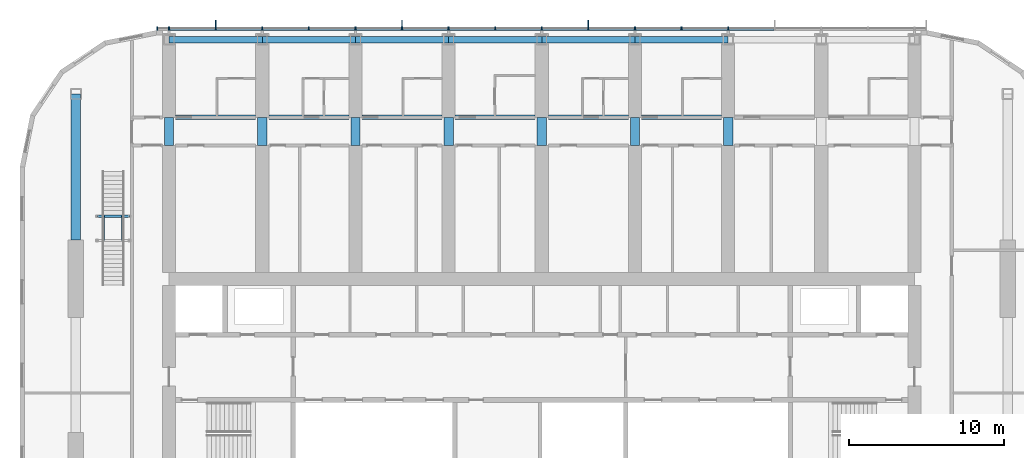
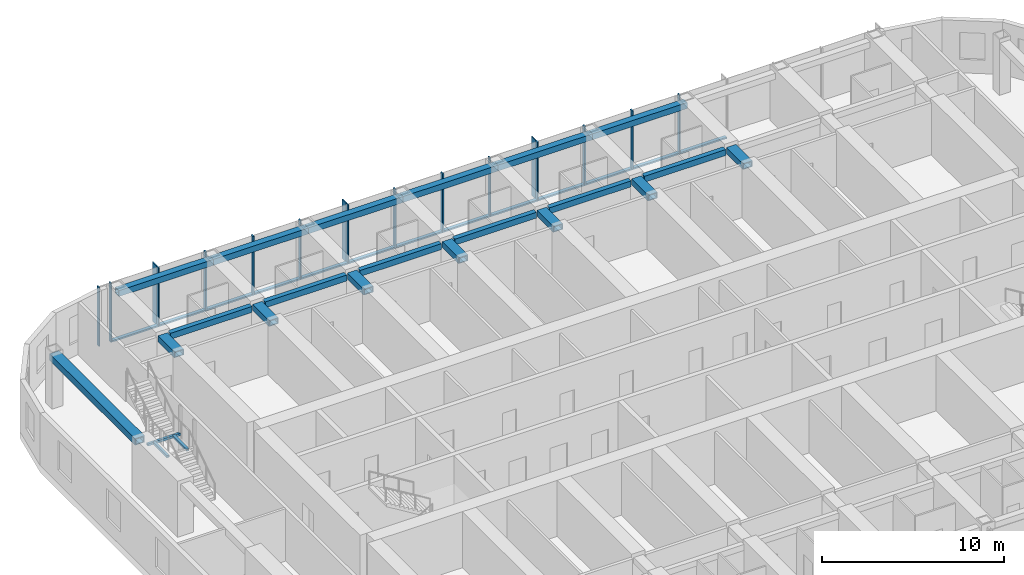
# One storey, part 8 of 29: 30 members, 23 beams, 1 element without a shape of its own.
"""IFC4 building model written with IfcOpenShell, lengths in metres."""

from ifc_helpers import new_model, si_unit, direction, frame, origin, origin_2d, place, context, subcontext, project, spatial, rectangle, hollow_rectangle, extrude, material, material_profile, profile_set, type_object, element, aggregate, save


model = new_model("IFC4")

# Units and contexts
model_context = context("Model", 3, precision=1e-05, world=origin(), true_north=direction((0.0, 1.0)))
body_context = subcontext(model_context, "Body", "Model", "MODEL_VIEW")
ifc_project = project(units=[si_unit("LENGTHUNIT", "METRE"), si_unit("AREAUNIT", "SQUARE_METRE"), si_unit("VOLUMEUNIT", "CUBIC_METRE"), si_unit("PLANEANGLEUNIT", "RADIAN"), si_unit("MASSUNIT", "GRAM", prefix="KILO")], contexts=[model_context])

# Site, building, storey
site_placement = place(None, origin())
site = spatial("IfcSite", under=ifc_project, at=site_placement, CompositionType="ELEMENT")
building_placement = place(site_placement, origin())
building = spatial("IfcBuilding", under=site, at=building_placement, Name="Orbita Commons", CompositionType="ELEMENT")
storey_placement = place(building_placement, frame((0.0, 0.0, 148.60009765625)))
storey = spatial("IfcBuildingStorey", under=building, at=storey_placement, Name="L36", CompositionType="ELEMENT", Elevation=148.60009765625)

# Curtain wall, members
ifc_material_1 = material(Name="Anodised aluminium frame, pale silver", Category="aluminium")
curtain_wall_type = type_object("IfcCurtainWallType", Name="Unitised curtain wall CW-U, full-height vision", PredefinedType="NOTDEFINED", material=ifc_material_1)
curtain_wall_placement = place(storey_placement, origin())
curtain_wall = element("IfcCurtainWall", 1, at=curtain_wall_placement, inside=storey, type_object=curtain_wall_type, Name="Curtain wall north L36", PredefinedType="NOTDEFINED")
ifc_material_2 = material(Name="Anodised aluminium, pale silver", Category="aluminium")
ifc_material_profile_1 = material_profile(ifc_material_2, rectangle(XDim=0.080078125, YDim=0.219970703125, at=origin_2d()), Name="AL 80x220")
ifc_profile_set_1 = profile_set([ifc_material_profile_1], Name="Anodised aluminium, pale silver")
member_type_1 = type_object("IfcMemberType", Name="Curtain wall mullion 80x220", PredefinedType="MULLION", material=ifc_profile_set_1)
member_1_placement = place(storey_placement, frame((54.0, 54.31005859375, -0.4501953125), z_axis=(0.0, 0.0, 1.0), x_axis=(-1.0, 0.0, 0.0)))
member_1 = element("IfcMember", 2, at=member_1_placement, type_object=member_type_1, Name="Mullion 6 CW-L36-N", PredefinedType="MULLION", context=body_context, shape_type="SweptSolid", body=[
    extrude(rectangle(XDim=0.080078125, YDim=0.219970703125, at=origin_2d()), origin(), (0.0, 0.0, 1.0), 3.9501953125),
])
member_2_placement = place(storey_placement, frame((51.0, 54.31005859375, -0.4501953125), z_axis=(0.0, 0.0, 1.0), x_axis=(-1.0, 0.0, 0.0)))
member_2 = element("IfcMember", 3, at=member_2_placement, type_object=member_type_1, Name="Mullion 7 CW-L36-N", PredefinedType="MULLION", context=body_context, shape_type="SweptSolid", body=[
    extrude(rectangle(XDim=0.080078125, YDim=0.219970703125, at=origin_2d()), origin(), (0.0, 0.0, 1.0), 3.9501953125),
])
member_3_placement = place(storey_placement, frame((48.0, 54.31005859375, -0.4501953125), z_axis=(0.0, 0.0, 1.0), x_axis=(-1.0, 0.0, 0.0)))
member_3 = element("IfcMember", 4, at=member_3_placement, type_object=member_type_1, Name="Mullion 8 CW-L36-N", PredefinedType="MULLION", context=body_context, shape_type="SweptSolid", body=[
    extrude(rectangle(XDim=0.080078125, YDim=0.219970703125, at=origin_2d()), origin(), (0.0, 0.0, 1.0), 3.9501953125),
])
member_4_placement = place(storey_placement, frame((45.0, 54.31005859375, -0.4501953125), z_axis=(0.0, 0.0, 1.0), x_axis=(-1.0, 0.0, 0.0)))
member_4 = element("IfcMember", 5, at=member_4_placement, type_object=member_type_1, Name="Mullion 9 CW-L36-N", PredefinedType="MULLION", context=body_context, shape_type="SweptSolid", body=[
    extrude(rectangle(XDim=0.080078125, YDim=0.219970703125, at=origin_2d()), origin(), (0.0, 0.0, 1.0), 3.9501953125),
])
member_5_placement = place(storey_placement, frame((42.0, 54.31005859375, -0.4501953125), z_axis=(0.0, 0.0, 1.0), x_axis=(-1.0, 0.0, 0.0)))
member_5 = element("IfcMember", 6, at=member_5_placement, type_object=member_type_1, Name="Mullion 10 CW-L36-N", PredefinedType="MULLION", context=body_context, shape_type="SweptSolid", body=[
    extrude(rectangle(XDim=0.080078125, YDim=0.219970703125, at=origin_2d()), origin(), (0.0, 0.0, 1.0), 3.9501953125),
])
member_6_placement = place(storey_placement, frame((39.0, 54.31005859375, -0.4501953125), z_axis=(0.0, 0.0, 1.0), x_axis=(-1.0, 0.0, 0.0)))
member_6 = element("IfcMember", 7, at=member_6_placement, type_object=member_type_1, Name="Mullion 11 CW-L36-N", PredefinedType="MULLION", context=body_context, shape_type="SweptSolid", body=[
    extrude(rectangle(XDim=0.080078125, YDim=0.219970703125, at=origin_2d()), origin(), (0.0, 0.0, 1.0), 3.9501953125),
])
member_7_placement = place(storey_placement, frame((36.0, 54.31005859375, -0.4501953125), z_axis=(0.0, 0.0, 1.0), x_axis=(-1.0, 0.0, 0.0)))
member_7 = element("IfcMember", 8, at=member_7_placement, type_object=member_type_1, Name="Mullion 12 CW-L36-N", PredefinedType="MULLION", context=body_context, shape_type="SweptSolid", body=[
    extrude(rectangle(XDim=0.080078125, YDim=0.219970703125, at=origin_2d()), origin(), (0.0, 0.0, 1.0), 3.9501953125),
])
member_8_placement = place(storey_placement, frame((33.0, 54.31005859375, -0.4501953125), z_axis=(0.0, 0.0, 1.0), x_axis=(-1.0, 0.0, 0.0)))
member_8 = element("IfcMember", 9, at=member_8_placement, type_object=member_type_1, Name="Mullion 13 CW-L36-N", PredefinedType="MULLION", context=body_context, shape_type="SweptSolid", body=[
    extrude(rectangle(XDim=0.080078125, YDim=0.219970703125, at=origin_2d()), origin(), (0.0, 0.0, 1.0), 3.9501953125),
])
member_9_placement = place(storey_placement, frame((30.0, 54.31005859375, -0.4501953125), z_axis=(0.0, 0.0, 1.0), x_axis=(-1.0, 0.0, 0.0)))
member_9 = element("IfcMember", 10, at=member_9_placement, type_object=member_type_1, Name="Mullion 14 CW-L36-N", PredefinedType="MULLION", context=body_context, shape_type="SweptSolid", body=[
    extrude(rectangle(XDim=0.080078125, YDim=0.219970703125, at=origin_2d()), origin(), (0.0, 0.0, 1.0), 3.9501953125),
])
member_10_placement = place(storey_placement, frame((27.0, 54.31005859375, -0.4501953125), z_axis=(0.0, 0.0, 1.0), x_axis=(-1.0, 0.0, 0.0)))
member_10 = element("IfcMember", 11, at=member_10_placement, type_object=member_type_1, Name="Mullion 15 CW-L36-N", PredefinedType="MULLION", context=body_context, shape_type="SweptSolid", body=[
    extrude(rectangle(XDim=0.080078125, YDim=0.219970703125, at=origin_2d()), origin(), (0.0, 0.0, 1.0), 3.9501953125),
])
member_11_placement = place(storey_placement, frame((24.0, 54.31005859375, -0.4501953125), z_axis=(0.0, 0.0, 1.0), x_axis=(-1.0, 0.0, 0.0)))
member_11 = element("IfcMember", 12, at=member_11_placement, type_object=member_type_1, Name="Mullion 16 CW-L36-N", PredefinedType="MULLION", context=body_context, shape_type="SweptSolid", body=[
    extrude(rectangle(XDim=0.080078125, YDim=0.219970703125, at=origin_2d()), origin(), (0.0, 0.0, 1.0), 3.9501953125),
])
member_12_placement = place(storey_placement, frame((21.0, 54.31005859375, -0.4501953125), z_axis=(0.0, 0.0, 1.0), x_axis=(-1.0, 0.0, 0.0)))
member_12 = element("IfcMember", 13, at=member_12_placement, type_object=member_type_1, Name="Mullion 17 CW-L36-N", PredefinedType="MULLION", context=body_context, shape_type="SweptSolid", body=[
    extrude(rectangle(XDim=0.080078125, YDim=0.219970703125, at=origin_2d()), origin(), (0.0, 0.0, 1.0), 3.9501953125),
])
member_13_placement = place(storey_placement, frame((18.0, 54.31005859375, -0.4501953125), z_axis=(0.0, 0.0, 1.0), x_axis=(-1.0, 0.0, 0.0)))
member_13 = element("IfcMember", 14, at=member_13_placement, type_object=member_type_1, Name="Mullion 18 CW-L36-N", PredefinedType="MULLION", context=body_context, shape_type="SweptSolid", body=[
    extrude(rectangle(XDim=0.080078125, YDim=0.219970703125, at=origin_2d()), origin(), (0.0, 0.0, 1.0), 3.9501953125),
])
member_14_placement = place(storey_placement, frame((17.239990234375, 54.31005859375, -0.4501953125), z_axis=(0.0, 0.0, 1.0), x_axis=(-1.0, 0.0, 0.0)))
member_14 = element("IfcMember", 15, at=member_14_placement, type_object=member_type_1, Name="Mullion 19 CW-L36-N", PredefinedType="MULLION", context=body_context, shape_type="SweptSolid", body=[
    extrude(rectangle(XDim=0.080078125, YDim=0.219970703125, at=origin_2d()), origin(), (0.0, 0.0, 1.0), 3.9501953125),
])
ifc_material_3 = material(Name="Anodised aluminium, pale silver", Category="aluminium")
ifc_material_profile_2 = material_profile(ifc_material_3, rectangle(XDim=0.219970703125, YDim=0.10009765625, at=origin_2d()), Name="AL 220x100")
ifc_profile_set_2 = profile_set([ifc_material_profile_2], Name="Anodised aluminium, pale silver")
member_type_2 = type_object("IfcMemberType", Name="Curtain wall stack transom 220x100", PredefinedType="USERDEFINED", material=ifc_profile_set_2)
member_15_placement = place(storey_placement, frame((56.9599609375, 54.31005859375, -0.400146484375), z_axis=(-1.0, 0.0, 0.0), x_axis=(0.0, -1.0, 0.0)))
member_15 = element("IfcMember", 16, at=member_15_placement, type_object=member_type_2, Name="Transom 5.1 CW-L36-N", ObjectType="TRANSOM", PredefinedType="USERDEFINED", context=body_context, shape_type="SweptSolid", body=[
    extrude(rectangle(XDim=0.219970703125, YDim=0.10009765625, at=origin_2d()), origin(), (0.0, 0.0, 1.0), 2.919921875),
])
member_16_placement = place(storey_placement, frame((53.9599609375, 54.31005859375, -0.400146484375), z_axis=(-1.0, 0.0, 0.0), x_axis=(0.0, -1.0, 0.0)))
member_16 = element("IfcMember", 17, at=member_16_placement, type_object=member_type_2, Name="Transom 6.1 CW-L36-N", ObjectType="TRANSOM", PredefinedType="USERDEFINED", context=body_context, shape_type="SweptSolid", body=[
    extrude(rectangle(XDim=0.219970703125, YDim=0.10009765625, at=origin_2d()), origin(), (0.0, 0.0, 1.0), 2.919921875),
])
member_17_placement = place(storey_placement, frame((50.9599609375, 54.31005859375, -0.400146484375), z_axis=(-1.0, 0.0, 0.0), x_axis=(0.0, -1.0, 0.0)))
member_17 = element("IfcMember", 18, at=member_17_placement, type_object=member_type_2, Name="Transom 7.1 CW-L36-N", ObjectType="TRANSOM", PredefinedType="USERDEFINED", context=body_context, shape_type="SweptSolid", body=[
    extrude(rectangle(XDim=0.219970703125, YDim=0.10009765625, at=origin_2d()), origin(), (0.0, 0.0, 1.0), 2.919921875),
])
member_18_placement = place(storey_placement, frame((47.9599609375, 54.31005859375, -0.400146484375), z_axis=(-1.0, 0.0, 0.0), x_axis=(0.0, -1.0, 0.0)))
member_18 = element("IfcMember", 19, at=member_18_placement, type_object=member_type_2, Name="Transom 8.1 CW-L36-N", ObjectType="TRANSOM", PredefinedType="USERDEFINED", context=body_context, shape_type="SweptSolid", body=[
    extrude(rectangle(XDim=0.219970703125, YDim=0.10009765625, at=origin_2d()), origin(), (0.0, 0.0, 1.0), 2.919921875),
])
member_19_placement = place(storey_placement, frame((44.9599609375, 54.31005859375, -0.400146484375), z_axis=(-1.0, 0.0, 0.0), x_axis=(0.0, -1.0, 0.0)))
member_19 = element("IfcMember", 20, at=member_19_placement, type_object=member_type_2, Name="Transom 9.1 CW-L36-N", ObjectType="TRANSOM", PredefinedType="USERDEFINED", context=body_context, shape_type="SweptSolid", body=[
    extrude(rectangle(XDim=0.219970703125, YDim=0.10009765625, at=origin_2d()), origin(), (0.0, 0.0, 1.0), 2.919921875),
])
member_20_placement = place(storey_placement, frame((41.9599609375, 54.31005859375, -0.400146484375), z_axis=(-1.0, 0.0, 0.0), x_axis=(0.0, -1.0, 0.0)))
member_20 = element("IfcMember", 21, at=member_20_placement, type_object=member_type_2, Name="Transom 10.1 CW-L36-N", ObjectType="TRANSOM", PredefinedType="USERDEFINED", context=body_context, shape_type="SweptSolid", body=[
    extrude(rectangle(XDim=0.219970703125, YDim=0.10009765625, at=origin_2d()), origin(), (0.0, 0.0, 1.0), 2.919921875),
])
member_21_placement = place(storey_placement, frame((38.9599609375, 54.31005859375, -0.400146484375), z_axis=(-1.0, 0.0, 0.0), x_axis=(0.0, -1.0, 0.0)))
member_21 = element("IfcMember", 22, at=member_21_placement, type_object=member_type_2, Name="Transom 11.1 CW-L36-N", ObjectType="TRANSOM", PredefinedType="USERDEFINED", context=body_context, shape_type="SweptSolid", body=[
    extrude(rectangle(XDim=0.219970703125, YDim=0.10009765625, at=origin_2d()), origin(), (0.0, 0.0, 1.0), 2.919921875),
])
member_22_placement = place(storey_placement, frame((35.9599609375, 54.31005859375, -0.400146484375), z_axis=(-1.0, 0.0, 0.0), x_axis=(0.0, -1.0, 0.0)))
member_22 = element("IfcMember", 23, at=member_22_placement, type_object=member_type_2, Name="Transom 12.1 CW-L36-N", ObjectType="TRANSOM", PredefinedType="USERDEFINED", context=body_context, shape_type="SweptSolid", body=[
    extrude(rectangle(XDim=0.219970703125, YDim=0.10009765625, at=origin_2d()), origin(), (0.0, 0.0, 1.0), 2.919921875),
])
member_23_placement = place(storey_placement, frame((32.9599609375, 54.31005859375, -0.400146484375), z_axis=(-1.0, 0.0, 0.0), x_axis=(0.0, -1.0, 0.0)))
member_23 = element("IfcMember", 24, at=member_23_placement, type_object=member_type_2, Name="Transom 13.1 CW-L36-N", ObjectType="TRANSOM", PredefinedType="USERDEFINED", context=body_context, shape_type="SweptSolid", body=[
    extrude(rectangle(XDim=0.219970703125, YDim=0.10009765625, at=origin_2d()), origin(), (0.0, 0.0, 1.0), 2.919921875),
])
member_24_placement = place(storey_placement, frame((29.9599609375, 54.31005859375, -0.400146484375), z_axis=(-1.0, 0.0, 0.0), x_axis=(0.0, -1.0, 0.0)))
member_24 = element("IfcMember", 25, at=member_24_placement, type_object=member_type_2, Name="Transom 14.1 CW-L36-N", ObjectType="TRANSOM", PredefinedType="USERDEFINED", context=body_context, shape_type="SweptSolid", body=[
    extrude(rectangle(XDim=0.219970703125, YDim=0.10009765625, at=origin_2d()), origin(), (0.0, 0.0, 1.0), 2.919921875),
])
member_25_placement = place(storey_placement, frame((26.9599609375, 54.31005859375, -0.400146484375), z_axis=(-1.0, 0.0, 0.0), x_axis=(0.0, -1.0, 0.0)))
member_25 = element("IfcMember", 26, at=member_25_placement, type_object=member_type_2, Name="Transom 15.1 CW-L36-N", ObjectType="TRANSOM", PredefinedType="USERDEFINED", context=body_context, shape_type="SweptSolid", body=[
    extrude(rectangle(XDim=0.219970703125, YDim=0.10009765625, at=origin_2d()), origin(), (0.0, 0.0, 1.0), 2.919921875),
])
member_26_placement = place(storey_placement, frame((23.9599609375, 54.31005859375, -0.400146484375), z_axis=(-1.0, 0.0, 0.0), x_axis=(0.0, -1.0, 0.0)))
member_26 = element("IfcMember", 27, at=member_26_placement, type_object=member_type_2, Name="Transom 16.1 CW-L36-N", ObjectType="TRANSOM", PredefinedType="USERDEFINED", context=body_context, shape_type="SweptSolid", body=[
    extrude(rectangle(XDim=0.219970703125, YDim=0.10009765625, at=origin_2d()), origin(), (0.0, 0.0, 1.0), 2.919921875),
])
member_27_placement = place(storey_placement, frame((20.9599609375, 54.31005859375, -0.400146484375), z_axis=(-1.0, 0.0, 0.0), x_axis=(0.0, -1.0, 0.0)))
member_27 = element("IfcMember", 28, at=member_27_placement, type_object=member_type_2, Name="Transom 17.1 CW-L36-N", ObjectType="TRANSOM", PredefinedType="USERDEFINED", context=body_context, shape_type="SweptSolid", body=[
    extrude(rectangle(XDim=0.219970703125, YDim=0.10009765625, at=origin_2d()), origin(), (0.0, 0.0, 1.0), 2.919921875),
])

# Beams
ifc_material_4 = material(Name="Steel ASTM A992", Category="steel")
ifc_material_profile_3 = material_profile(ifc_material_4, hollow_rectangle(XDim=0.14990234375, YDim=0.14990234375, WallThickness=0.008056640625, at=origin_2d()), Name="SHS 150x150x8")
ifc_profile_set_3 = profile_set([ifc_material_profile_3], Name="Steel ASTM A992")
beam_type_1 = type_object("IfcBeamType", Name="Landing frame beam SHS 150x150x8", PredefinedType="BEAM", material=ifc_profile_set_3)
beam_1_placement = place(storey_placement, frame((13.35009765625, 42.235107421875, 1.599853515625), z_axis=(1.0, 0.0, 0.0), x_axis=(0.0, 1.0, 0.0)))
element("IfcBeam", 29, at=beam_1_placement, inside=storey, type_object=beam_type_1, Name="Neighbourhood stair L36 to L37 landing frame beam 2", PredefinedType="BEAM", context=body_context, shape_type="SweptSolid", body=[
    extrude(hollow_rectangle(XDim=0.14990234375, YDim=0.14990234375, WallThickness=0.008056640625, at=origin_2d()), origin(), (0.0, 0.0, 1.0), 2.099853515625),
])
for number, where, z_axis, x_axis, name in (
    (30, (13.77490234375, 40.675048828125, 1.599853515625), (0.0, 1.0, 0.0), (-1.0, 0.0, 0.0), "Neighbourhood stair L36 to L37 landing frame beam 3"),
    (31, (15.02490234375, 40.675048828125, 1.599853515625), (0.0, 1.0, 0.0), (-1.0, 0.0, 0.0), "Neighbourhood stair L36 to L37 landing frame beam 4"),
):
    element("IfcBeam", number, at=place(storey_placement, frame(where, z_axis=z_axis, x_axis=x_axis)), inside=storey, type_object=beam_type_1, Name=name, PredefinedType="BEAM", context=body_context, shape_type="SweptSolid", body=[
        extrude(hollow_rectangle(XDim=0.14990234375, YDim=0.14990234375, WallThickness=0.008056640625, at=origin_2d()), origin(), (0.0, 0.0, 1.0), 1.56005859375),
    ])
ifc_material_5 = material(Name="Steel ASTM A572 Gr 50 welded plate", Category="steel")
ifc_material_profile_4 = material_profile(ifc_material_5, hollow_rectangle(XDim=0.300048828125, YDim=0.39990234375, WallThickness=0.0400390625, at=origin_2d()), Name="BOX 400x300x40")
ifc_profile_set_4 = profile_set([ifc_material_profile_4], Name="Steel ASTM A572 Gr 50 welded plate")
beam_type_2 = type_object("IfcBeamType", Name="Steel corridor link BOX 400x300x40", PredefinedType="BEAM", material=ifc_profile_set_4)
for number, where, z_axis, x_axis, name in (
    (32, (18.425048828125, 48.60009765625, 3.2998046875), (1.0, 0.0, 0.0), (0.0, 1.0, 0.0), "Corridor beam NB 4-5 L36"),
    (33, (24.425048828125, 48.60009765625, 3.2998046875), (1.0, 0.0, 0.0), (0.0, 1.0, 0.0), "Corridor beam NB 5-6 L36"),
    (34, (30.425048828125, 48.60009765625, 3.2998046875), (1.0, 0.0, 0.0), (0.0, 1.0, 0.0), "Corridor beam NB 6-7 L36"),
    (35, (36.425048828125, 48.60009765625, 3.2998046875), (1.0, 0.0, 0.0), (0.0, 1.0, 0.0), "Corridor beam NB 7-8 L36"),
    (36, (42.425048828125, 48.60009765625, 3.2998046875), (1.0, 0.0, 0.0), (0.0, 1.0, 0.0), "Corridor beam NB 8-9 L36"),
    (37, (48.425048828125, 48.60009765625, 3.2998046875), (1.0, 0.0, 0.0), (0.0, 1.0, 0.0), "Corridor beam NB 9-10 L36"),
):
    element("IfcBeam", number, at=place(storey_placement, frame(where, z_axis=z_axis, x_axis=x_axis)), inside=storey, type_object=beam_type_2, Name=name, PredefinedType="BEAM", context=body_context, shape_type="SweptSolid", body=[
        extrude(hollow_rectangle(XDim=0.300048828125, YDim=0.39990234375, WallThickness=0.0400390625, at=origin_2d()), origin(), (0.0, 0.0, 1.0), 5.14990234375),
    ])
ifc_material_6 = material(Name="Steel ASTM A572 Gr 50 welded plate", Category="steel")
ifc_material_profile_5 = material_profile(ifc_material_6, hollow_rectangle(XDim=0.60009765625, YDim=0.39990234375, WallThickness=0.050048828125, at=origin_2d()), Name="BOX 400x600x50")
ifc_profile_set_5 = profile_set([ifc_material_profile_5], Name="Steel ASTM A572 Gr 50 welded plate")
beam_type_3 = type_object("IfcBeamType", Name="Steel coupling link BOX 400x600x50", PredefinedType="LINTEL", material=ifc_profile_set_5)
for number, where, z_axis, x_axis, name in (
    (38, (18.0, 46.800048828125, 3.2998046875), (0.0, 1.0, 0.0), (-1.0, 0.0, 0.0), "Coupling beam 4 north L36"),
    (39, (24.0, 46.800048828125, 3.2998046875), (0.0, 1.0, 0.0), (-1.0, 0.0, 0.0), "Coupling beam 5 north L36"),
    (40, (30.0, 46.800048828125, 3.2998046875), (0.0, 1.0, 0.0), (-1.0, 0.0, 0.0), "Coupling beam 6 north L36"),
    (41, (36.0, 46.800048828125, 3.2998046875), (0.0, 1.0, 0.0), (-1.0, 0.0, 0.0), "Coupling beam 7 north L36"),
    (42, (42.0, 46.800048828125, 3.2998046875), (0.0, 1.0, 0.0), (-1.0, 0.0, 0.0), "Coupling beam 8 north L36"),
    (43, (48.0, 46.800048828125, 3.2998046875), (0.0, 1.0, 0.0), (-1.0, 0.0, 0.0), "Coupling beam 9 north L36"),
    (44, (54.0, 46.800048828125, 3.2998046875), (0.0, 1.0, 0.0), (-1.0, 0.0, 0.0), "Coupling beam 10 north L36"),
):
    element("IfcBeam", number, at=place(storey_placement, frame(where, z_axis=z_axis, x_axis=x_axis)), inside=storey, type_object=beam_type_3, Name=name, PredefinedType="LINTEL", context=body_context, shape_type="SweptSolid", body=[
        extrude(hollow_rectangle(XDim=0.60009765625, YDim=0.39990234375, WallThickness=0.050048828125, at=origin_2d()), origin(), (0.0, 0.0, 1.0), 1.800048828125),
    ])
ifc_material_7 = material(Name="Steel ASTM A572 Gr 50 welded plate", Category="steel")
ifc_material_profile_6 = material_profile(ifc_material_7, hollow_rectangle(XDim=0.60009765625, YDim=0.449951171875, WallThickness=0.06005859375, at=origin_2d()), Name="BOX 450x600x60")
ifc_profile_set_6 = profile_set([ifc_material_profile_6], Name="Steel ASTM A572 Gr 50 welded plate")
beam_type_4 = type_object("IfcBeamType", Name="Steel end frame link BOX 450x600x60", PredefinedType="BEAM", material=ifc_profile_set_6)
beam_2_placement = place(storey_placement, frame((12.0, 40.699951171875, 3.27490234375), z_axis=(0.0, 1.0, 0.0), x_axis=(-1.0, 0.0, 0.0)))
element("IfcBeam", 45, at=beam_2_placement, inside=storey, type_object=beam_type_4, Name="End frame beam 3 D-E L36", PredefinedType="BEAM", context=body_context, shape_type="SweptSolid", body=[
    extrude(hollow_rectangle(XDim=0.60009765625, YDim=0.449951171875, WallThickness=0.06005859375, at=origin_2d()), origin(), (0.0, 0.0, 1.0), 9.400146484375),
])
ifc_material_8 = material(Name="Steel ASTM A572 Gr 50 welded plate", Category="steel")
ifc_material_profile_7 = material_profile(ifc_material_8, hollow_rectangle(XDim=0.39990234375, YDim=0.39990234375, WallThickness=0.0400390625, at=origin_2d()), Name="BOX 400x400x40")
ifc_profile_set_7 = profile_set([ifc_material_profile_7], Name="Steel ASTM A572 Gr 50 welded plate")
beam_type_5 = type_object("IfcBeamType", Name="Steel spandrel BOX 400x400x40", PredefinedType="SPANDREL", material=ifc_profile_set_7)
for number, where, z_axis, x_axis, name in (
    (46, (18.0, 53.60009765625, 3.2998046875), (1.0, 0.0, 0.0), (0.0, 1.0, 0.0), "Spandrel beam E 4-5 L36"),
    (47, (24.0, 53.60009765625, 3.2998046875), (1.0, 0.0, 0.0), (0.0, 1.0, 0.0), "Spandrel beam E 5-6 L36"),
    (48, (30.0, 53.60009765625, 3.2998046875), (1.0, 0.0, 0.0), (0.0, 1.0, 0.0), "Spandrel beam E 6-7 L36"),
    (49, (36.0, 53.60009765625, 3.2998046875), (1.0, 0.0, 0.0), (0.0, 1.0, 0.0), "Spandrel beam E 7-8 L36"),
    (50, (42.0, 53.60009765625, 3.2998046875), (1.0, 0.0, 0.0), (0.0, 1.0, 0.0), "Spandrel beam E 8-9 L36"),
    (51, (48.0, 53.60009765625, 3.2998046875), (1.0, 0.0, 0.0), (0.0, 1.0, 0.0), "Spandrel beam E 9-10 L36"),
):
    element("IfcBeam", number, at=place(storey_placement, frame(where, z_axis=z_axis, x_axis=x_axis)), inside=storey, type_object=beam_type_5, Name=name, PredefinedType="SPANDREL", context=body_context, shape_type="SweptSolid", body=[
        extrude(hollow_rectangle(XDim=0.39990234375, YDim=0.39990234375, WallThickness=0.0400390625, at=origin_2d()), origin(), (0.0, 0.0, 1.0), 6.0),
    ])

# Member
ifc_material_9 = material(Name="Anodised aluminium, pale silver", Category="aluminium")
ifc_material_profile_8 = material_profile(ifc_material_9, rectangle(XDim=0.06005859375, YDim=0.449951171875, at=origin_2d()), Name="FIN 60x450")
ifc_profile_set_8 = profile_set([ifc_material_profile_8], Name="Anodised aluminium, pale silver")
member_type_3 = type_object("IfcMemberType", Name="Vertical fin 60x450 pale aluminium", PredefinedType="USERDEFINED", material=ifc_profile_set_8)
member_28_placement = place(storey_placement, frame((45.0, 54.64501953125, -0.4501953125), z_axis=(0.0, 0.0, 1.0), x_axis=(-1.0, 0.0, 0.0)))
member_28 = element("IfcMember", 52, at=member_28_placement, type_object=member_type_3, Name="Fin 9 CW-L36-N", ObjectType="FIN", PredefinedType="USERDEFINED", context=body_context, shape_type="SweptSolid", body=[
    extrude(rectangle(XDim=0.06005859375, YDim=0.449951171875, at=origin_2d()), origin(), (0.0, 0.0, 1.0), 3.9501953125),
])

member_29_placement = place(storey_placement, frame((33.0, 54.64501953125, -0.4501953125), z_axis=(0.0, 0.0, 1.0), x_axis=(-1.0, 0.0, 0.0)))
member_29 = element("IfcMember", 53, at=member_29_placement, type_object=member_type_3, Name="Fin 13 CW-L36-N", ObjectType="FIN", PredefinedType="USERDEFINED", context=body_context, shape_type="SweptSolid", body=[
    extrude(rectangle(XDim=0.06005859375, YDim=0.449951171875, at=origin_2d()), origin(), (0.0, 0.0, 1.0), 3.9501953125),
])

member_30_placement = place(storey_placement, frame((21.0, 54.64501953125, -0.4501953125), z_axis=(0.0, 0.0, 1.0), x_axis=(-1.0, 0.0, 0.0)))
member_30 = element("IfcMember", 54, at=member_30_placement, type_object=member_type_3, Name="Fin 17 CW-L36-N", ObjectType="FIN", PredefinedType="USERDEFINED", context=body_context, shape_type="SweptSolid", body=[
    extrude(rectangle(XDim=0.06005859375, YDim=0.449951171875, at=origin_2d()), origin(), (0.0, 0.0, 1.0), 3.9501953125),
])

aggregate(curtain_wall, [member_1, member_2, member_3, member_4, member_28, member_5, member_6, member_7, member_8, member_29, member_9, member_10, member_11, member_12, member_30, member_13, member_14, member_15, member_16, member_17, member_18, member_19, member_20, member_21, member_22, member_23, member_24, member_25, member_26, member_27])

save(model, "model.ifc")
